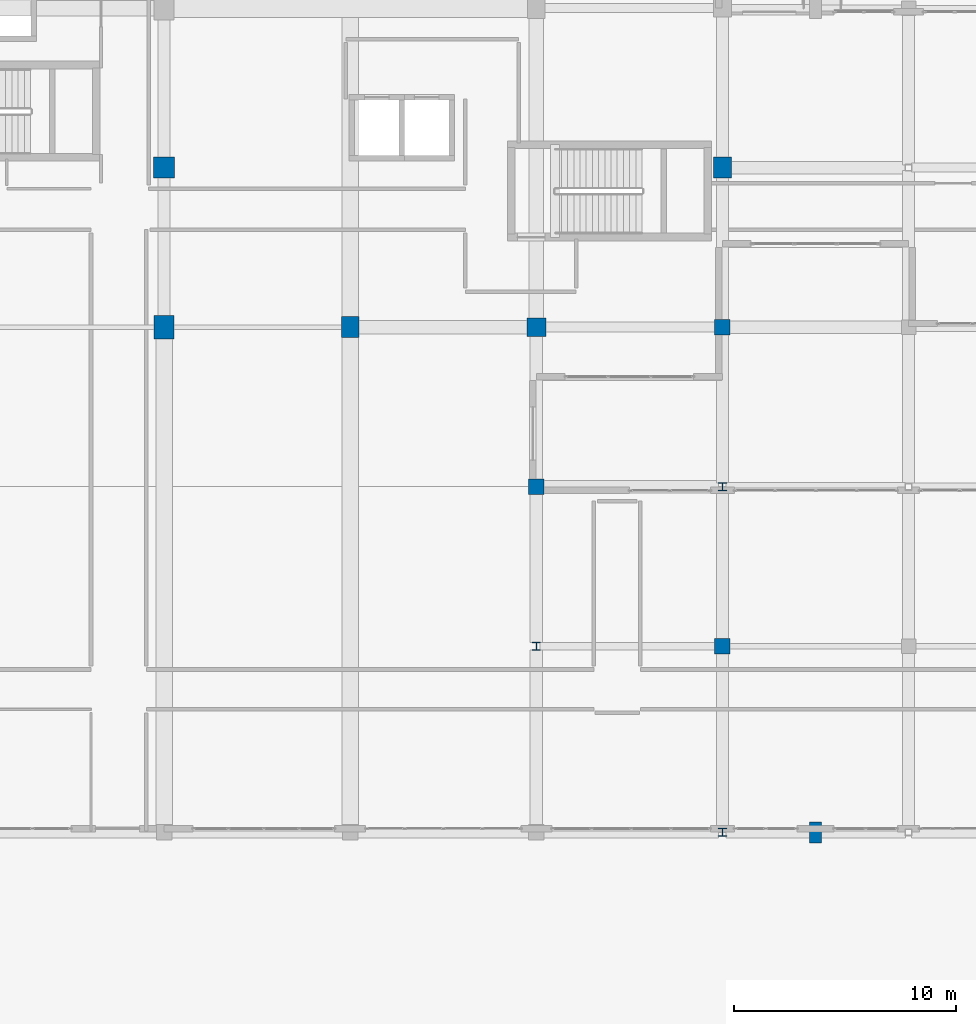
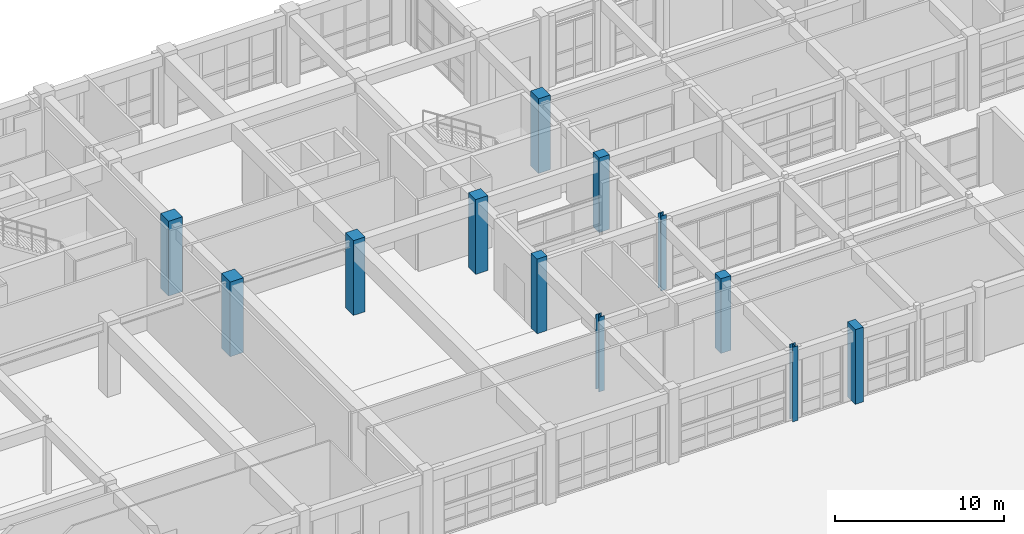
# One storey, part 10 of 148: 12 columns.
"""IFC4 building model written with IfcOpenShell, lengths in metres."""

from ifc_helpers import new_model, si_unit, direction, frame, origin, origin_2d, place, context, subcontext, project, spatial, rectangle, i_section, extrude, material, material_profile, profile_set, type_object, element, save


model = new_model("IFC4")

# Units and contexts
model_context = context("Model", 3, precision=1e-05, world=origin(), true_north=direction((0.0, 1.0)))
body_context = subcontext(model_context, "Body", "Model", "MODEL_VIEW")
ifc_project = project(units=[si_unit("LENGTHUNIT", "METRE"), si_unit("AREAUNIT", "SQUARE_METRE"), si_unit("VOLUMEUNIT", "CUBIC_METRE"), si_unit("PLANEANGLEUNIT", "RADIAN"), si_unit("MASSUNIT", "GRAM", prefix="KILO")], contexts=[model_context])

# Site, building, storey
site_placement = place(None, origin())
site = spatial("IfcSite", under=ifc_project, at=site_placement, CompositionType="ELEMENT")
building_placement = place(site_placement, origin())
building = spatial("IfcBuilding", under=site, at=building_placement, Name="Quendrovan Civic Courthouse", CompositionType="ELEMENT")
storey_placement = place(building_placement, origin())
storey = spatial("IfcBuildingStorey", under=building, at=storey_placement, Name="L01", CompositionType="ELEMENT", Elevation=0.0)

# Columns
ifc_material_1 = material(Name="Concrete C45/55", Category="concrete")
ifc_material_profile_1 = material_profile(ifc_material_1, rectangle(XDim=0.550048828125, YDim=0.949951171875, at=origin_2d()), Name="RC-PIER-550x950")
ifc_profile_set_1 = profile_set([ifc_material_profile_1], Name="Concrete C45/55")
column_type_1 = type_object("IfcColumnType", Name="COL-PIER950", PredefinedType="PILASTER", material=ifc_profile_set_1)
column_1_placement = place(storey_placement, frame((96.60009765625, 64.800048828125, 0.0), z_axis=(0.0, 0.0, 1.0), x_axis=(1.0, 0.0, 0.0)))
element("IfcColumn", 1, at=column_1_placement, inside=storey, type_object=column_type_1, Name="L01 Column PIL-C3", PredefinedType="PILASTER", context=body_context, shape_type="SweptSolid", body=[
    extrude(rectangle(XDim=0.550048828125, YDim=0.949951171875, at=origin_2d()), origin(), (0.0, 0.0, 1.0), 5.39990234375),
])
ifc_material_profile_2 = material_profile(ifc_material_1, rectangle(XDim=0.800048828125, YDim=0.949951171875, at=origin_2d()), Name="RC-COL-800x950")
ifc_profile_set_2 = profile_set([ifc_material_profile_2], Name="Concrete C45/55")
column_type_2 = type_object("IfcColumnType", Name="COL-RC-800x950", PredefinedType="COLUMN", material=ifc_profile_set_2)
for number, where, z_axis, x_axis, name in (
    (2, (75.60009765625, 87.60009765625, 0.0), (0.0, 0.0, 1.0), (1.0, 0.0, 0.0), "L01 Column 10-M"),
    (3, (92.39990234375, 94.800048828125, 0.0), (0.0, 0.0, 1.0), (1.0, 0.0, 0.0), "L01 Column 12-N"),
):
    element("IfcColumn", number, at=place(storey_placement, frame(where, z_axis=z_axis, x_axis=x_axis)), inside=storey, type_object=column_type_2, Name=name, PredefinedType="COLUMN", context=body_context, shape_type="SweptSolid", body=[
        extrude(rectangle(XDim=0.800048828125, YDim=0.949951171875, at=origin_2d()), origin(), (0.0, 0.0, 1.0), 5.39990234375),
    ])
ifc_material_profile_3 = material_profile(ifc_material_1, rectangle(XDim=0.89990234375, YDim=1.050048828125, at=origin_2d()), Name="RC-COL-900x1050")
ifc_profile_set_3 = profile_set([ifc_material_profile_3], Name="Concrete C45/55")
column_type_3 = type_object("IfcColumnType", Name="COL-RC-900x1050", PredefinedType="COLUMN", material=ifc_profile_set_3)
column_2_placement = place(storey_placement, frame((67.199951171875, 87.60009765625, 0.0), z_axis=(0.0, 0.0, 1.0), x_axis=(1.0, 0.0, 0.0)))
element("IfcColumn", 4, at=column_2_placement, inside=storey, type_object=column_type_3, Name="L01 Column 9-M", PredefinedType="COLUMN", context=body_context, shape_type="SweptSolid", body=[
    extrude(rectangle(XDim=0.89990234375, YDim=1.050048828125, at=origin_2d()), origin(), (0.0, 0.0, 1.0), 5.39990234375),
])
ifc_material_profile_4 = material_profile(ifc_material_1, rectangle(XDim=0.699951171875, YDim=0.699951171875, at=origin_2d()), Name="RC-COL-700x700")
ifc_profile_set_4 = profile_set([ifc_material_profile_4], Name="Concrete C45/55")
column_type_4 = type_object("IfcColumnType", Name="COL-RC700", PredefinedType="COLUMN", material=ifc_profile_set_4)
for number, where, z_axis, x_axis, name in (
    (5, (84.0, 80.39990234375, 0.0), (0.0, 0.0, 1.0), (1.0, 0.0, 0.0), "L01 Column 11-L"),
    (6, (92.39990234375, 73.199951171875, 0.0), (0.0, 0.0, 1.0), (1.0, 0.0, 0.0), "L01 Column 12-K"),
    (7, (92.39990234375, 87.60009765625, 0.0), (0.0, 0.0, 1.0), (1.0, 0.0, 0.0), "L01 Column 12-M"),
):
    element("IfcColumn", number, at=place(storey_placement, frame(where, z_axis=z_axis, x_axis=x_axis)), inside=storey, type_object=column_type_4, Name=name, PredefinedType="COLUMN", context=body_context, shape_type="SweptSolid", body=[
        extrude(rectangle(XDim=0.699951171875, YDim=0.699951171875, at=origin_2d()), origin(), (0.0, 0.0, 1.0), 5.39990234375),
    ])
ifc_material_profile_5 = material_profile(ifc_material_1, rectangle(XDim=0.85009765625, YDim=0.85009765625, at=origin_2d()), Name="RC-COL-850x850")
ifc_profile_set_5 = profile_set([ifc_material_profile_5], Name="Concrete C45/55")
column_type_5 = type_object("IfcColumnType", Name="COL-RC850", PredefinedType="COLUMN", material=ifc_profile_set_5)
column_3_placement = place(storey_placement, frame((84.0, 87.60009765625, 0.0), z_axis=(0.0, 0.0, 1.0), x_axis=(1.0, 0.0, 0.0)))
element("IfcColumn", 8, at=column_3_placement, inside=storey, type_object=column_type_5, Name="L01 Column 11-M", PredefinedType="COLUMN", context=body_context, shape_type="SweptSolid", body=[
    extrude(rectangle(XDim=0.85009765625, YDim=0.85009765625, at=origin_2d()), origin(), (0.0, 0.0, 1.0), 5.39990234375),
])
ifc_material_profile_6 = material_profile(ifc_material_1, rectangle(XDim=0.949951171875, YDim=0.949951171875, at=origin_2d()), Name="RC-COL-950x950")
ifc_profile_set_6 = profile_set([ifc_material_profile_6], Name="Concrete C45/55")
column_type_6 = type_object("IfcColumnType", Name="COL-RC950", PredefinedType="COLUMN", material=ifc_profile_set_6)
column_4_placement = place(storey_placement, frame((67.199951171875, 94.800048828125, 0.0), z_axis=(0.0, 0.0, 1.0), x_axis=(1.0, 0.0, 0.0)))
element("IfcColumn", 9, at=column_4_placement, inside=storey, type_object=column_type_6, Name="L01 Column 9-N", PredefinedType="COLUMN", context=body_context, shape_type="SweptSolid", body=[
    extrude(rectangle(XDim=0.949951171875, YDim=0.949951171875, at=origin_2d()), origin(), (0.0, 0.0, 1.0), 5.39990234375),
])
ifc_material_2 = material(Name="Steel ASTM A992 Grade 50", Category="steel")
ifc_material_profile_7 = material_profile(ifc_material_2, i_section(OverallWidth=0.3740234375, OverallDepth=0.3720703125, WebThickness=0.016357421875, FlangeThickness=0.026123046875, at=origin_2d()), Name="W14X132")
ifc_profile_set_7 = profile_set([ifc_material_profile_7], Name="Steel ASTM A992 Grade 50")
column_type_7 = type_object("IfcColumnType", Name="COL-STL-W14X132", PredefinedType="COLUMN", material=ifc_profile_set_7)
for number, where, z_axis, x_axis, name in (
    (10, (84.0, 73.199951171875, 0.0), (0.0, 0.0, 1.0), (1.0, 0.0, 0.0), "L01 Column 11-K"),
    (11, (92.39990234375, 64.800048828125, 0.0), (0.0, 0.0, 1.0), (1.0, 0.0, 0.0), "L01 Column 12-J"),
    (12, (92.39990234375, 80.39990234375, 0.0), (0.0, 0.0, 1.0), (1.0, 0.0, 0.0), "L01 Column 12-L"),
):
    element("IfcColumn", number, at=place(storey_placement, frame(where, z_axis=z_axis, x_axis=x_axis)), inside=storey, type_object=column_type_7, Name=name, PredefinedType="COLUMN", context=body_context, shape_type="SweptSolid", body=[
        extrude(i_section(OverallWidth=0.3740234375, OverallDepth=0.3720703125, WebThickness=0.016357421875, FlangeThickness=0.026123046875, at=origin_2d()), origin(), (0.0, 0.0, 1.0), 5.39990234375),
    ])

save(model, "model.ifc")
